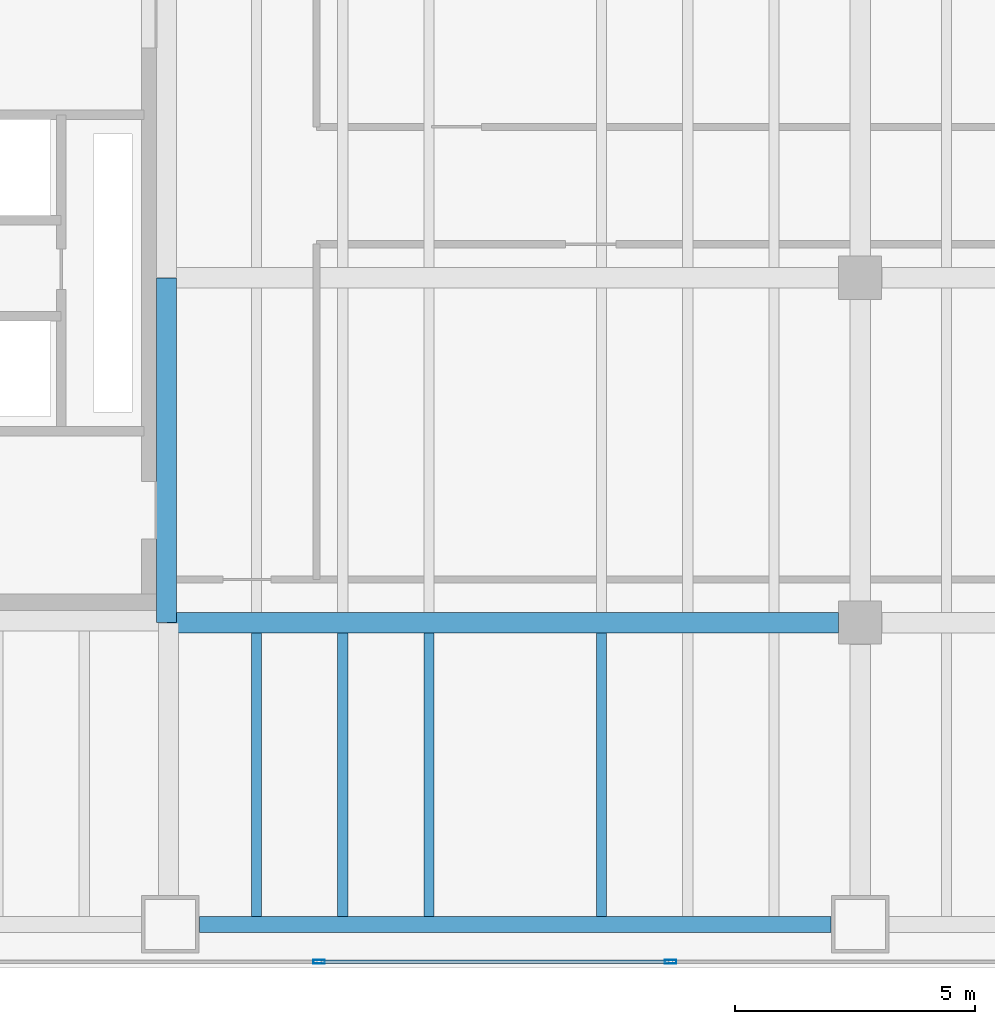
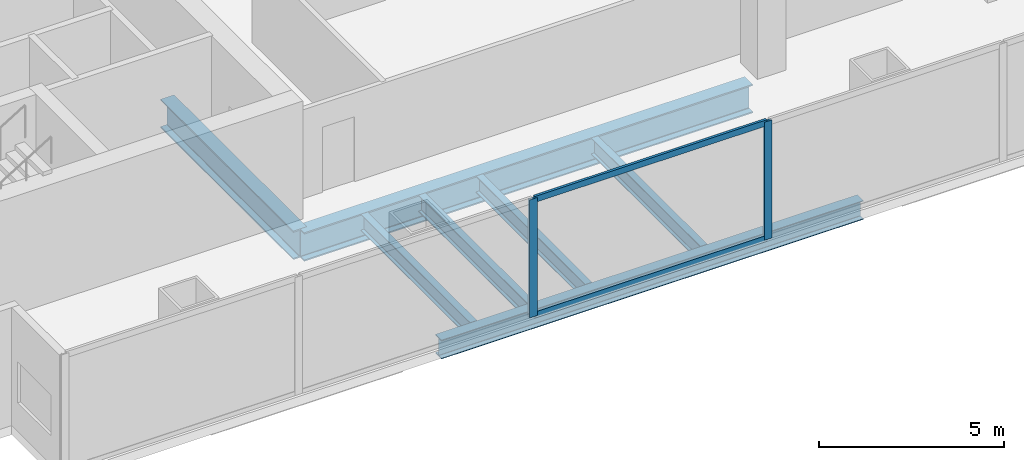
# One storey, part 3 of 31: 7 beams, 4 members, 1 element without a shape of its own.
"""IFC4 building model written with IfcOpenShell, lengths in metres."""

from ifc_helpers import new_model, si_unit, direction, frame, origin, origin_2d, place, context, subcontext, project, spatial, hollow_rectangle, i_section, extrude, material, material_profile, profile_set, type_object, element, aggregate, save


model = new_model("IFC4")

# Units and contexts
model_context = context("Model", 3, precision=1e-05, world=origin(), true_north=direction((0.0, 1.0)))
body_context = subcontext(model_context, "Body", "Model", "MODEL_VIEW")
ifc_project = project(units=[si_unit("LENGTHUNIT", "METRE"), si_unit("AREAUNIT", "SQUARE_METRE"), si_unit("VOLUMEUNIT", "CUBIC_METRE"), si_unit("PLANEANGLEUNIT", "RADIAN"), si_unit("MASSUNIT", "GRAM", prefix="KILO")], contexts=[model_context])

# Site, building, storey
site_placement = place(None, origin())
site = spatial("IfcSite", under=ifc_project, at=site_placement, CompositionType="ELEMENT")
building_placement = place(site_placement, origin())
building = spatial("IfcBuilding", under=site, at=building_placement, Name="Cobrela Telecom Tower", CompositionType="ELEMENT")
storey_placement = place(building_placement, frame((0.0, 0.0, 9.449951171875)))
storey = spatial("IfcBuildingStorey", under=building, at=storey_placement, Name="L02", CompositionType="ELEMENT", Elevation=9.449951171875)

# Beams
ifc_material_1 = material(Name="Steel ASTM A992 Grade 50", Category="steel")
ifc_material_profile_1 = material_profile(ifc_material_1, i_section(OverallWidth=0.424072265625, OverallDepth=0.947021484375, WebThickness=0.02392578125, FlangeThickness=0.042724609375, FilletRadius=0.02392578125, at=origin_2d()), Name="W36X302")
ifc_profile_set_1 = profile_set([ifc_material_profile_1], Name="Steel ASTM A992 Grade 50")
beam_type_1 = type_object("IfcBeamType", Name="BM-GIRD-01", PredefinedType="USERDEFINED", material=ifc_profile_set_1)
beam_1_placement = place(storey_placement, frame((14.324951171875, 7.199951171875, -0.7734375), z_axis=(1.0, 0.0, 0.0), x_axis=(0.0, 1.0, 0.0)))
element("IfcBeam", 1, at=beam_1_placement, inside=storey, type_object=beam_type_1, Name="L02 Primary Girder X12", ObjectType="GIRDER", PredefinedType="USERDEFINED", context=body_context, shape_type="SweptSolid", body=[
    extrude(i_section(OverallWidth=0.424072265625, OverallDepth=0.947021484375, WebThickness=0.02392578125, FlangeThickness=0.042724609375, FilletRadius=0.02392578125, at=origin_2d()), origin(), (0.0, 0.0, 1.0), 14.02001953125),
])
beam_2_placement = place(storey_placement, frame((14.320068359375, 7.205078125, -0.7734375), z_axis=(0.0, 1.0, 0.0), x_axis=(-1.0, 0.0, 0.0)))
element("IfcBeam", 2, at=beam_2_placement, inside=storey, type_object=beam_type_1, Name="L02 Primary Girder Y61", ObjectType="GIRDER", PredefinedType="USERDEFINED", context=body_context, shape_type="SweptSolid", body=[
    extrude(i_section(OverallWidth=0.424072265625, OverallDepth=0.947021484375, WebThickness=0.02392578125, FlangeThickness=0.042724609375, FilletRadius=0.02392578125, at=origin_2d()), origin(), (0.0, 0.0, 1.0), 7.18994140625),
])
ifc_material_profile_2 = material_profile(ifc_material_1, i_section(OverallWidth=0.212890625, OverallDepth=0.549072265625, WebThickness=0.0146484375, FlangeThickness=0.023681640625, FilletRadius=0.013916015625, at=origin_2d()), Name="W21X93")
ifc_profile_set_2 = profile_set([ifc_material_profile_2], Name="Steel ASTM A992 Grade 50")
beam_type_2 = type_object("IfcBeamType", Name="BM-JOIST-01", PredefinedType="JOIST", material=ifc_profile_set_2)
for number, where, z_axis, x_axis, name in (
    (3, (16.199951171875, 1.069091796875, -0.574462890625), (0.0, 1.0, 0.0), (-1.0, 0.0, 0.0), "L02 Secondary Composite Floor Beam J13"),
    (4, (18.0, 1.069091796875, -0.574462890625), (0.0, 1.0, 0.0), (-1.0, 0.0, 0.0), "L02 Secondary Composite Floor Beam J20"),
    (5, (19.800048828125, 1.069091796875, -0.574462890625), (0.0, 1.0, 0.0), (-1.0, 0.0, 0.0), "L02 Secondary Composite Floor Beam J27"),
    (6, (23.39990234375, 1.069091796875, -0.574462890625), (0.0, 1.0, 0.0), (-1.0, 0.0, 0.0), "L02 Secondary Composite Floor Beam J34"),
):
    element("IfcBeam", number, at=place(storey_placement, frame(where, z_axis=z_axis, x_axis=x_axis)), inside=storey, type_object=beam_type_2, Name=name, PredefinedType="JOIST", context=body_context, shape_type="SweptSolid", body=[
        extrude(i_section(OverallWidth=0.212890625, OverallDepth=0.549072265625, WebThickness=0.0146484375, FlangeThickness=0.023681640625, FilletRadius=0.013916015625, at=origin_2d()), origin(), (0.0, 0.0, 1.0), 5.913818359375),
    ])
ifc_material_profile_3 = material_profile(ifc_material_1, i_section(OverallWidth=0.327880859375, OverallDepth=0.6220703125, WebThickness=0.015380859375, FlangeThickness=0.0244140625, FilletRadius=0.014892578125, at=origin_2d()), Name="W24X131")
ifc_profile_set_3 = profile_set([ifc_material_profile_3], Name="Steel ASTM A992 Grade 50")
beam_type_3 = type_object("IfcBeamType", Name="BM-SPAND-01", PredefinedType="SPANDREL", material=ifc_profile_set_3)
beam_3_placement = place(storey_placement, frame((15.0048828125, 0.89990234375, -0.61083984375), z_axis=(1.0, 0.0, 0.0), x_axis=(0.0, 1.0, 0.0)))
element("IfcBeam", 7, at=beam_3_placement, inside=storey, type_object=beam_type_3, Name="L02 Perimeter Spandrel X02", PredefinedType="SPANDREL", context=body_context, shape_type="SweptSolid", body=[
    extrude(i_section(OverallWidth=0.327880859375, OverallDepth=0.6220703125, WebThickness=0.015380859375, FlangeThickness=0.0244140625, FilletRadius=0.014892578125, at=origin_2d()), origin(), (0.0, 0.0, 1.0), 13.190185546875),
])

# Curtain wall, members
ifc_material_2 = material(Name="Anodized Bronze Aluminium 6063-T6", Category="aluminium")
curtain_wall_type = type_object("IfcCurtainWallType", Name="CW-SYS-CONC", PredefinedType="USERDEFINED", material=ifc_material_2)
curtain_wall_placement = place(storey_placement, origin())
curtain_wall = element("IfcCurtainWall", 8, at=curtain_wall_placement, inside=storey, type_object=curtain_wall_type, Name="L02 Unitised Bronze Curtain Wall 17", ObjectType="UNITISED CURTAIN WALL", PredefinedType="USERDEFINED")
ifc_material_profile_4 = material_profile(ifc_material_2, hollow_rectangle(XDim=0.080078125, YDim=0.239990234375, WallThickness=0.0048828125, at=origin_2d()), Name="ALU 80x240x5")
ifc_profile_set_4 = profile_set([ifc_material_profile_4], Name="Anodized Bronze Aluminium 6063-T6")
member_type_1 = type_object("IfcMemberType", Name="CW-SYS-CONC-MUL", PredefinedType="MULLION", material=ifc_profile_set_4)
member_1_placement = place(storey_placement, frame((24.845458984375, 0.1201171875, 0.0), z_axis=(0.0, 0.0, 1.0), x_axis=(0.0, -1.0, 0.0)))
member_1 = element("IfcMember", 9, at=member_1_placement, type_object=member_type_1, Name="CW-CONC mullion 9", PredefinedType="MULLION", context=body_context, shape_type="SweptSolid", body=[
    extrude(hollow_rectangle(XDim=0.080078125, YDim=0.239990234375, WallThickness=0.0048828125, at=origin_2d()), origin(), (0.0, 0.0, 1.0), 3.900146484375),
])
member_2_placement = place(storey_placement, frame((17.503662109375, 0.1201171875, 0.0), z_axis=(0.0, 0.0, 1.0), x_axis=(0.0, -1.0, 0.0)))
member_2 = element("IfcMember", 10, at=member_2_placement, type_object=member_type_1, Name="CW-CONC mullion 10", PredefinedType="MULLION", context=body_context, shape_type="SweptSolid", body=[
    extrude(hollow_rectangle(XDim=0.080078125, YDim=0.239990234375, WallThickness=0.0048828125, at=origin_2d()), origin(), (0.0, 0.0, 1.0), 3.900146484375),
])
ifc_material_profile_5 = material_profile(ifc_material_2, hollow_rectangle(XDim=0.080078125, YDim=0.199951171875, WallThickness=0.00390625, at=origin_2d()), Name="ALU 80x200x4")
ifc_profile_set_5 = profile_set([ifc_material_profile_5], Name="Anodized Bronze Aluminium 6063-T6")
member_type_2 = type_object("IfcMemberType", Name="CW-SYS-CONC-TRN", PredefinedType="USERDEFINED", material=ifc_profile_set_5)
member_3_placement = place(storey_placement, frame((24.805419921875, 0.1201171875, 0.0400390625), z_axis=(-1.0, 0.0, 0.0), x_axis=(0.0, -1.0, 0.0)))
member_3 = element("IfcMember", 11, at=member_3_placement, type_object=member_type_2, Name="CW-CONC transom 9.1", ObjectType="TRANSOM", PredefinedType="USERDEFINED", context=body_context, shape_type="SweptSolid", body=[
    extrude(hollow_rectangle(XDim=0.080078125, YDim=0.199951171875, WallThickness=0.00390625, at=origin_2d()), origin(), (0.0, 0.0, 1.0), 7.26171875),
])
member_4_placement = place(storey_placement, frame((24.805419921875, 0.1201171875, 3.860107421875), z_axis=(-1.0, 0.0, 0.0), x_axis=(0.0, -1.0, 0.0)))
member_4 = element("IfcMember", 12, at=member_4_placement, type_object=member_type_2, Name="CW-CONC transom 9.2", ObjectType="TRANSOM", PredefinedType="USERDEFINED", context=body_context, shape_type="SweptSolid", body=[
    extrude(hollow_rectangle(XDim=0.080078125, YDim=0.199951171875, WallThickness=0.00390625, at=origin_2d()), origin(), (0.0, 0.0, 1.0), 7.26171875),
])
aggregate(curtain_wall, [member_1, member_2, member_3, member_4])

save(model, "model.ifc")
